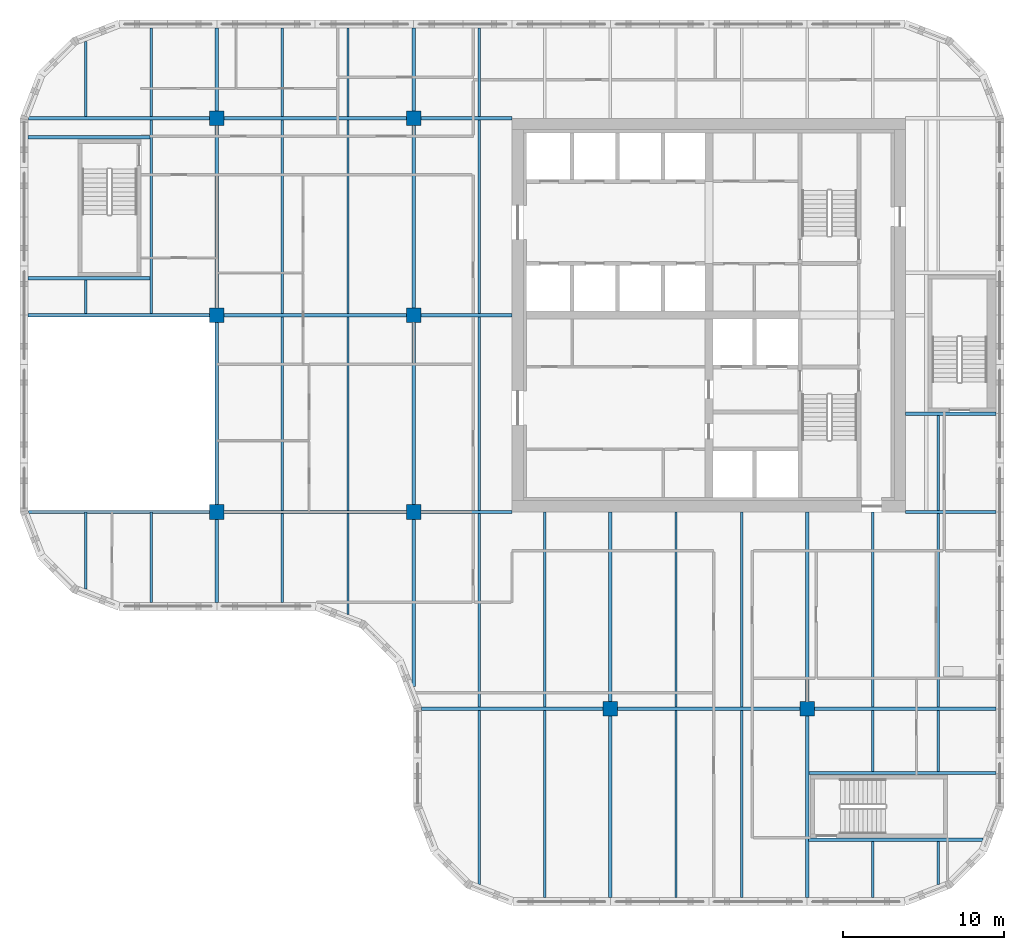
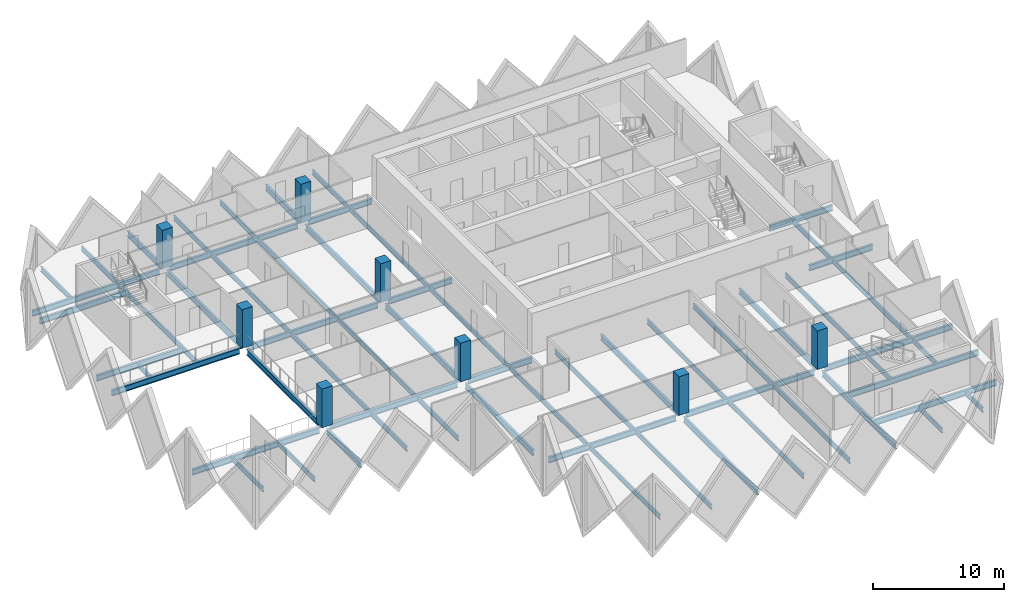
# One storey, part 1 of 13: 62 beams, 8 columns.
"""IFC4 building model written with IfcOpenShell, lengths in metres."""

from ifc_helpers import new_model, si_unit, direction, frame, origin, origin_2d, place, context, subcontext, project, spatial, rectangle, i_section, extrude, material, material_profile, profile_set, type_object, element, save


model = new_model("IFC4")

# Units and contexts
model_context = context("Model", 3, precision=1e-05, world=origin(), true_north=direction((0.0, 1.0)))
body_context = subcontext(model_context, "Body", "Model", "MODEL_VIEW")
ifc_project = project(units=[si_unit("LENGTHUNIT", "METRE"), si_unit("AREAUNIT", "SQUARE_METRE"), si_unit("VOLUMEUNIT", "CUBIC_METRE"), si_unit("PLANEANGLEUNIT", "RADIAN"), si_unit("MASSUNIT", "GRAM", prefix="KILO")], contexts=[model_context])

# Site, building, storey
site_placement = place(None, origin())
site = spatial("IfcSite", under=ifc_project, at=site_placement, CompositionType="ELEMENT")
building_placement = place(site_placement, origin())
building = spatial("IfcBuilding", under=site, at=building_placement, Name="Tessera Gate Towers", CompositionType="ELEMENT")
storey_placement = place(building_placement, frame((0.0, 0.0, 131.60009765625)))
storey = spatial("IfcBuildingStorey", under=building, at=storey_placement, Name="L32", CompositionType="ELEMENT", Elevation=131.60009765625)

# Columns
ifc_material_1 = material(Name="Concrete C70/85", Category="concrete")
ifc_material_profile_1 = material_profile(ifc_material_1, rectangle(XDim=0.89990234375, YDim=0.89990234375, at=origin_2d()), Name="RC 900x900")
ifc_profile_set_1 = profile_set([ifc_material_profile_1], Name="Concrete C70/85")
column_type = type_object("IfcColumnType", Name="COLUMN RC 900x900", PredefinedType="COLUMN", material=ifc_profile_set_1)
for number, where, z_axis, x_axis, name in (
    (1, (12.199951171875, 24.39990234375, 0.0), (0.0, 0.0, 1.0), (1.0, 0.0, 0.0), "T1-COL-2C-L32"),
    (2, (12.199951171875, 36.60009765625, 0.0), (0.0, 0.0, 1.0), (1.0, 0.0, 0.0), "T1-COL-2D-L32"),
    (3, (12.199951171875, 48.800048828125, 0.0), (0.0, 0.0, 1.0), (1.0, 0.0, 0.0), "T1-COL-2E-L32"),
    (4, (24.39990234375, 24.39990234375, 0.0), (0.0, 0.0, 1.0), (1.0, 0.0, 0.0), "T1-COL-3C-L32"),
    (5, (24.39990234375, 36.60009765625, 0.0), (0.0, 0.0, 1.0), (1.0, 0.0, 0.0), "T1-COL-3D-L32"),
    (6, (24.39990234375, 48.800048828125, 0.0), (0.0, 0.0, 1.0), (1.0, 0.0, 0.0), "T1-COL-3E-L32"),
    (7, (36.60009765625, 12.199951171875, 0.0), (0.0, 0.0, 1.0), (1.0, 0.0, 0.0), "T1-COL-4B-L32"),
    (8, (48.800048828125, 12.199951171875, 0.0), (0.0, 0.0, 1.0), (1.0, 0.0, 0.0), "T1-COL-5B-L32"),
):
    element("IfcColumn", number, at=place(storey_placement, frame(where, z_axis=z_axis, x_axis=x_axis)), inside=storey, type_object=column_type, Name=name, PredefinedType="COLUMN", context=body_context, shape_type="SweptSolid", body=[
        extrude(rectangle(XDim=0.89990234375, YDim=0.89990234375, at=origin_2d()), origin(), (0.0, 0.0, 1.0), 3.599853515625),
    ])

# Beams
ifc_material_2 = material(Name="Steel 350W", Category="steel")
ifc_material_profile_2 = material_profile(ifc_material_2, i_section(OverallWidth=0.208984375, OverallDepth=0.532958984375, WebThickness=0.01025390625, FlangeThickness=0.015625, at=origin_2d()), Name="W530x92")
ifc_profile_set_2 = profile_set([ifc_material_profile_2], Name="Steel 350W")
beam_type_1 = type_object("IfcBeamType", Name="FLOOR GIRDER W530x92", PredefinedType="BEAM", material=ifc_profile_set_2)
beam_1_placement = place(storey_placement, frame((24.89892578125, 12.199951171875, -0.466552734375), z_axis=(1.0, 0.0, 0.0), x_axis=(0.0, 1.0, 0.0)))
element("IfcBeam", 9, at=beam_1_placement, inside=storey, type_object=beam_type_1, Name="T1-GD-L32-3926", PredefinedType="BEAM", context=body_context, shape_type="SweptSolid", body=[
    extrude(i_section(OverallWidth=0.208984375, OverallDepth=0.532958984375, WebThickness=0.01025390625, FlangeThickness=0.015625, at=origin_2d()), origin(), (0.0, 0.0, 1.0), 11.2509765625),
])
beam_2_placement = place(storey_placement, frame((37.050048828125, 12.199951171875, -0.466552734375), z_axis=(1.0, 0.0, 0.0), x_axis=(0.0, 1.0, 0.0)))
element("IfcBeam", 10, at=beam_2_placement, inside=storey, type_object=beam_type_1, Name="T1-GD-L32-3927", PredefinedType="BEAM", context=body_context, shape_type="SweptSolid", body=[
    extrude(i_section(OverallWidth=0.208984375, OverallDepth=0.532958984375, WebThickness=0.01025390625, FlangeThickness=0.015625, at=origin_2d()), origin(), (0.0, 0.0, 1.0), 11.300048828125),
])
beam_3_placement = place(storey_placement, frame((49.25, 12.199951171875, -0.466552734375), z_axis=(1.0, 0.0, 0.0), x_axis=(0.0, 1.0, 0.0)))
element("IfcBeam", 11, at=beam_3_placement, inside=storey, type_object=beam_type_1, Name="T1-GD-L32-3928", PredefinedType="BEAM", context=body_context, shape_type="SweptSolid", body=[
    extrude(i_section(OverallWidth=0.208984375, OverallDepth=0.532958984375, WebThickness=0.01025390625, FlangeThickness=0.015625, at=origin_2d()), origin(), (0.0, 0.0, 1.0), 11.2509765625),
])
beam_4_placement = place(storey_placement, frame((0.534912109375, 24.39990234375, -0.466552734375), z_axis=(1.0, 0.0, 0.0), x_axis=(0.0, 1.0, 0.0)))
element("IfcBeam", 12, at=beam_4_placement, inside=storey, type_object=beam_type_1, Name="T1-GD-L32-3929", PredefinedType="BEAM", context=body_context, shape_type="SweptSolid", body=[
    extrude(i_section(OverallWidth=0.208984375, OverallDepth=0.532958984375, WebThickness=0.01025390625, FlangeThickness=0.015625, at=origin_2d()), origin(), (0.0, 0.0, 1.0), 11.215087890625),
])
beam_5_placement = place(storey_placement, frame((12.64990234375, 24.39990234375, -0.466552734375), z_axis=(1.0, 0.0, 0.0), x_axis=(0.0, 1.0, 0.0)))
element("IfcBeam", 13, at=beam_5_placement, inside=storey, type_object=beam_type_1, Name="T1-GD-L32-3930", PredefinedType="BEAM", context=body_context, shape_type="SweptSolid", body=[
    extrude(i_section(OverallWidth=0.208984375, OverallDepth=0.532958984375, WebThickness=0.01025390625, FlangeThickness=0.015625, at=origin_2d()), origin(), (0.0, 0.0, 1.0), 11.300048828125),
])
beam_6_placement = place(storey_placement, frame((24.85009765625, 24.39990234375, -0.466552734375), z_axis=(1.0, 0.0, 0.0), x_axis=(0.0, 1.0, 0.0)))
element("IfcBeam", 14, at=beam_6_placement, inside=storey, type_object=beam_type_1, Name="T1-GD-L32-3931", PredefinedType="BEAM", context=body_context, shape_type="SweptSolid", body=[
    extrude(i_section(OverallWidth=0.208984375, OverallDepth=0.532958984375, WebThickness=0.01025390625, FlangeThickness=0.015625, at=origin_2d()), origin(), (0.0, 0.0, 1.0), 5.64892578125),
])
beam_7_placement = place(storey_placement, frame((54.90087890625, 24.39990234375, -0.466552734375), z_axis=(1.0, 0.0, 0.0), x_axis=(0.0, 1.0, 0.0)))
element("IfcBeam", 15, at=beam_7_placement, inside=storey, type_object=beam_type_1, Name="T1-GD-L32-3932", PredefinedType="BEAM", context=body_context, shape_type="SweptSolid", body=[
    extrude(i_section(OverallWidth=0.208984375, OverallDepth=0.532958984375, WebThickness=0.01025390625, FlangeThickness=0.015625, at=origin_2d()), origin(), (0.0, 0.0, 1.0), 5.60009765625),
])
beam_8_placement = place(storey_placement, frame((0.4990234375, 36.60009765625, -0.466552734375), z_axis=(1.0, 0.0, 0.0), x_axis=(0.0, 1.0, 0.0)))
element("IfcBeam", 16, at=beam_8_placement, inside=storey, type_object=beam_type_1, Name="T1-GD-L32-3933", PredefinedType="BEAM", context=body_context, shape_type="SweptSolid", body=[
    extrude(i_section(OverallWidth=0.208984375, OverallDepth=0.532958984375, WebThickness=0.01025390625, FlangeThickness=0.015625, at=origin_2d()), origin(), (0.0, 0.0, 1.0), 11.2509765625),
])
beam_9_placement = place(storey_placement, frame((12.64990234375, 36.60009765625, -0.466552734375), z_axis=(1.0, 0.0, 0.0), x_axis=(0.0, 1.0, 0.0)))
element("IfcBeam", 17, at=beam_9_placement, inside=storey, type_object=beam_type_1, Name="T1-GD-L32-3934", PredefinedType="BEAM", context=body_context, shape_type="SweptSolid", body=[
    extrude(i_section(OverallWidth=0.208984375, OverallDepth=0.532958984375, WebThickness=0.01025390625, FlangeThickness=0.015625, at=origin_2d()), origin(), (0.0, 0.0, 1.0), 11.300048828125),
])
beam_10_placement = place(storey_placement, frame((24.85009765625, 36.60009765625, -0.466552734375), z_axis=(1.0, 0.0, 0.0), x_axis=(0.0, 1.0, 0.0)))
element("IfcBeam", 18, at=beam_10_placement, inside=storey, type_object=beam_type_1, Name="T1-GD-L32-3935", PredefinedType="BEAM", context=body_context, shape_type="SweptSolid", body=[
    extrude(i_section(OverallWidth=0.208984375, OverallDepth=0.532958984375, WebThickness=0.01025390625, FlangeThickness=0.015625, at=origin_2d()), origin(), (0.0, 0.0, 1.0), 5.65087890625),
])
beam_11_placement = place(storey_placement, frame((0.534912109375, 48.800048828125, -0.466552734375), z_axis=(1.0, 0.0, 0.0), x_axis=(0.0, 1.0, 0.0)))
element("IfcBeam", 19, at=beam_11_placement, inside=storey, type_object=beam_type_1, Name="T1-GD-L32-3937", PredefinedType="BEAM", context=body_context, shape_type="SweptSolid", body=[
    extrude(i_section(OverallWidth=0.208984375, OverallDepth=0.532958984375, WebThickness=0.01025390625, FlangeThickness=0.015625, at=origin_2d()), origin(), (0.0, 0.0, 1.0), 11.215087890625),
])
beam_12_placement = place(storey_placement, frame((12.64990234375, 48.800048828125, -0.466552734375), z_axis=(1.0, 0.0, 0.0), x_axis=(0.0, 1.0, 0.0)))
element("IfcBeam", 20, at=beam_12_placement, inside=storey, type_object=beam_type_1, Name="T1-GD-L32-3938", PredefinedType="BEAM", context=body_context, shape_type="SweptSolid", body=[
    extrude(i_section(OverallWidth=0.208984375, OverallDepth=0.532958984375, WebThickness=0.01025390625, FlangeThickness=0.015625, at=origin_2d()), origin(), (0.0, 0.0, 1.0), 11.300048828125),
])
beam_13_placement = place(storey_placement, frame((24.85009765625, 48.800048828125, -0.466552734375), z_axis=(1.0, 0.0, 0.0), x_axis=(0.0, 1.0, 0.0)))
element("IfcBeam", 21, at=beam_13_placement, inside=storey, type_object=beam_type_1, Name="T1-GD-L32-3939", PredefinedType="BEAM", context=body_context, shape_type="SweptSolid", body=[
    extrude(i_section(OverallWidth=0.208984375, OverallDepth=0.532958984375, WebThickness=0.01025390625, FlangeThickness=0.015625, at=origin_2d()), origin(), (0.0, 0.0, 1.0), 5.64892578125),
])
beam_14_placement = place(storey_placement, frame((12.199951171875, 18.799072265625, -0.466552734375), z_axis=(0.0, 1.0, 0.0), x_axis=(-1.0, 0.0, 0.0)))
element("IfcBeam", 22, at=beam_14_placement, inside=storey, type_object=beam_type_1, Name="T1-GD-L32-3941", PredefinedType="BEAM", context=body_context, shape_type="SweptSolid", body=[
    extrude(i_section(OverallWidth=0.208984375, OverallDepth=0.532958984375, WebThickness=0.01025390625, FlangeThickness=0.015625, at=origin_2d()), origin(), (0.0, 0.0, 1.0), 5.15087890625),
])
beam_15_placement = place(storey_placement, frame((12.199951171875, 24.85009765625, -0.466552734375), z_axis=(0.0, 1.0, 0.0), x_axis=(-1.0, 0.0, 0.0)))
element("IfcBeam", 23, at=beam_15_placement, inside=storey, type_object=beam_type_1, Name="T1-GD-L32-3942", PredefinedType="BEAM", context=body_context, shape_type="SweptSolid", body=[
    extrude(i_section(OverallWidth=0.208984375, OverallDepth=0.532958984375, WebThickness=0.01025390625, FlangeThickness=0.015625, at=origin_2d()), origin(), (0.0, 0.0, 1.0), 11.2998046875),
])
beam_16_placement = place(storey_placement, frame((12.199951171875, 37.050048828125, -0.466552734375), z_axis=(0.0, 1.0, 0.0), x_axis=(-1.0, 0.0, 0.0)))
element("IfcBeam", 24, at=beam_16_placement, inside=storey, type_object=beam_type_1, Name="T1-GD-L32-3943", PredefinedType="BEAM", context=body_context, shape_type="SweptSolid", body=[
    extrude(i_section(OverallWidth=0.208984375, OverallDepth=0.532958984375, WebThickness=0.01025390625, FlangeThickness=0.015625, at=origin_2d()), origin(), (0.0, 0.0, 1.0), 11.300048828125),
])
beam_17_placement = place(storey_placement, frame((12.199951171875, 49.25, -0.466552734375), z_axis=(0.0, 1.0, 0.0), x_axis=(-1.0, 0.0, 0.0)))
element("IfcBeam", 25, at=beam_17_placement, inside=storey, type_object=beam_type_1, Name="T1-GD-L32-3944", PredefinedType="BEAM", context=body_context, shape_type="SweptSolid", body=[
    extrude(i_section(OverallWidth=0.208984375, OverallDepth=0.532958984375, WebThickness=0.01025390625, FlangeThickness=0.015625, at=origin_2d()), origin(), (0.0, 0.0, 1.0), 5.15087890625),
])
beam_18_placement = place(storey_placement, frame((24.39990234375, 13.58642578125, -0.466552734375), z_axis=(0.0, 1.0, 0.0), x_axis=(-1.0, 0.0, 0.0)))
element("IfcBeam", 26, at=beam_18_placement, inside=storey, type_object=beam_type_1, Name="T1-GD-L32-3945", PredefinedType="BEAM", context=body_context, shape_type="SweptSolid", body=[
    extrude(i_section(OverallWidth=0.208984375, OverallDepth=0.532958984375, WebThickness=0.01025390625, FlangeThickness=0.015625, at=origin_2d()), origin(), (0.0, 0.0, 1.0), 10.363525390625),
])
beam_19_placement = place(storey_placement, frame((24.39990234375, 24.85009765625, -0.466552734375), z_axis=(0.0, 1.0, 0.0), x_axis=(-1.0, 0.0, 0.0)))
element("IfcBeam", 27, at=beam_19_placement, inside=storey, type_object=beam_type_1, Name="T1-GD-L32-3946", PredefinedType="BEAM", context=body_context, shape_type="SweptSolid", body=[
    extrude(i_section(OverallWidth=0.208984375, OverallDepth=0.532958984375, WebThickness=0.01025390625, FlangeThickness=0.015625, at=origin_2d()), origin(), (0.0, 0.0, 1.0), 11.2998046875),
])
beam_20_placement = place(storey_placement, frame((24.39990234375, 37.050048828125, -0.466552734375), z_axis=(0.0, 1.0, 0.0), x_axis=(-1.0, 0.0, 0.0)))
element("IfcBeam", 28, at=beam_20_placement, inside=storey, type_object=beam_type_1, Name="T1-GD-L32-3947", PredefinedType="BEAM", context=body_context, shape_type="SweptSolid", body=[
    extrude(i_section(OverallWidth=0.208984375, OverallDepth=0.532958984375, WebThickness=0.01025390625, FlangeThickness=0.015625, at=origin_2d()), origin(), (0.0, 0.0, 1.0), 11.300048828125),
])
beam_21_placement = place(storey_placement, frame((24.39990234375, 49.25, -0.466552734375), z_axis=(0.0, 1.0, 0.0), x_axis=(-1.0, 0.0, 0.0)))
element("IfcBeam", 29, at=beam_21_placement, inside=storey, type_object=beam_type_1, Name="T1-GD-L32-3948", PredefinedType="BEAM", context=body_context, shape_type="SweptSolid", body=[
    extrude(i_section(OverallWidth=0.208984375, OverallDepth=0.532958984375, WebThickness=0.01025390625, FlangeThickness=0.015625, at=origin_2d()), origin(), (0.0, 0.0, 1.0), 5.15087890625),
])
beam_22_placement = place(storey_placement, frame((36.60009765625, 0.4990234375, -0.466552734375), z_axis=(0.0, 1.0, 0.0), x_axis=(-1.0, 0.0, 0.0)))
element("IfcBeam", 30, at=beam_22_placement, inside=storey, type_object=beam_type_1, Name="T1-GD-L32-3949", PredefinedType="BEAM", context=body_context, shape_type="SweptSolid", body=[
    extrude(i_section(OverallWidth=0.208984375, OverallDepth=0.532958984375, WebThickness=0.01025390625, FlangeThickness=0.015625, at=origin_2d()), origin(), (0.0, 0.0, 1.0), 11.2509765625),
])
beam_23_placement = place(storey_placement, frame((36.60009765625, 12.64990234375, -0.466552734375), z_axis=(0.0, 1.0, 0.0), x_axis=(-1.0, 0.0, 0.0)))
element("IfcBeam", 31, at=beam_23_placement, inside=storey, type_object=beam_type_1, Name="T1-GD-L32-3950", PredefinedType="BEAM", context=body_context, shape_type="SweptSolid", body=[
    extrude(i_section(OverallWidth=0.208984375, OverallDepth=0.532958984375, WebThickness=0.01025390625, FlangeThickness=0.015625, at=origin_2d()), origin(), (0.0, 0.0, 1.0), 11.75),
])
beam_24_placement = place(storey_placement, frame((48.800048828125, 0.4990234375, -0.466552734375), z_axis=(0.0, 1.0, 0.0), x_axis=(-1.0, 0.0, 0.0)))
element("IfcBeam", 32, at=beam_24_placement, inside=storey, type_object=beam_type_1, Name="T1-GD-L32-3951", PredefinedType="BEAM", context=body_context, shape_type="SweptSolid", body=[
    extrude(i_section(OverallWidth=0.208984375, OverallDepth=0.532958984375, WebThickness=0.01025390625, FlangeThickness=0.015625, at=origin_2d()), origin(), (0.0, 0.0, 1.0), 11.2509765625),
])
beam_25_placement = place(storey_placement, frame((48.800048828125, 12.64990234375, -0.466552734375), z_axis=(0.0, 1.0, 0.0), x_axis=(-1.0, 0.0, 0.0)))
element("IfcBeam", 33, at=beam_25_placement, inside=storey, type_object=beam_type_1, Name="T1-GD-L32-3952", PredefinedType="BEAM", context=body_context, shape_type="SweptSolid", body=[
    extrude(i_section(OverallWidth=0.208984375, OverallDepth=0.532958984375, WebThickness=0.01025390625, FlangeThickness=0.015625, at=origin_2d()), origin(), (0.0, 0.0, 1.0), 11.75),
])
for number, where, z_axis, x_axis, name in (
    (34, (0.4990234375, 38.8798828125, -0.466552734375), (1.0, 0.0, 0.0), (0.0, 1.0, 0.0), "T1-GD-L32-3953"),
    (35, (0.4990234375, 47.6201171875, -0.466552734375), (1.0, 0.0, 0.0), (0.0, 1.0, 0.0), "T1-GD-L32-3954"),
):
    element("IfcBeam", number, at=place(storey_placement, frame(where, z_axis=z_axis, x_axis=x_axis)), inside=storey, type_object=beam_type_1, Name=name, PredefinedType="BEAM", context=body_context, shape_type="SweptSolid", body=[
        extrude(i_section(OverallWidth=0.208984375, OverallDepth=0.532958984375, WebThickness=0.01025390625, FlangeThickness=0.015625, at=origin_2d()), origin(), (0.0, 0.0, 1.0), 7.557861328125),
    ])
beam_26_placement = place(storey_placement, frame((48.87646484375, 4.080078125, -0.466552734375), z_axis=(1.0, 0.0, 0.0), x_axis=(0.0, 1.0, 0.0)))
element("IfcBeam", 36, at=beam_26_placement, inside=storey, type_object=beam_type_1, Name="T1-GD-L32-3955", PredefinedType="BEAM", context=body_context, shape_type="SweptSolid", body=[
    extrude(i_section(OverallWidth=0.208984375, OverallDepth=0.532958984375, WebThickness=0.01025390625, FlangeThickness=0.015625, at=origin_2d()), origin(), (0.0, 0.0, 1.0), 10.809326171875),
])
beam_27_placement = place(storey_placement, frame((48.87646484375, 8.219970703125, -0.466552734375), z_axis=(1.0, 0.0, 0.0), x_axis=(0.0, 1.0, 0.0)))
element("IfcBeam", 37, at=beam_27_placement, inside=storey, type_object=beam_type_1, Name="T1-GD-L32-3956", PredefinedType="BEAM", context=body_context, shape_type="SweptSolid", body=[
    extrude(i_section(OverallWidth=0.208984375, OverallDepth=0.532958984375, WebThickness=0.01025390625, FlangeThickness=0.015625, at=origin_2d()), origin(), (0.0, 0.0, 1.0), 11.62451171875),
])
beam_28_placement = place(storey_placement, frame((54.89892578125, 30.47998046875, -0.466552734375), z_axis=(1.0, 0.0, 0.0), x_axis=(0.0, 1.0, 0.0)))
element("IfcBeam", 38, at=beam_28_placement, inside=storey, type_object=beam_type_1, Name="T1-GD-L32-3957", PredefinedType="BEAM", context=body_context, shape_type="SweptSolid", body=[
    extrude(i_section(OverallWidth=0.208984375, OverallDepth=0.532958984375, WebThickness=0.01025390625, FlangeThickness=0.015625, at=origin_2d()), origin(), (0.0, 0.0, 1.0), 5.60205078125),
])
ifc_material_3 = material(Name="Steel 350W", Category="steel")
ifc_material_profile_3 = material_profile(ifc_material_3, i_section(OverallWidth=0.153076171875, OverallDepth=0.455078125, WebThickness=0.008056640625, FlangeThickness=0.01318359375, at=origin_2d()), Name="W460x60")
ifc_profile_set_3 = profile_set([ifc_material_profile_3], Name="Steel 350W")
beam_type_2 = type_object("IfcBeamType", Name="FLOOR SECONDARY W460x60", PredefinedType="BEAM", material=ifc_profile_set_3)
beam_29_placement = place(storey_placement, frame((4.066650390625, 19.620361328125, -0.427490234375), z_axis=(0.0, 1.0, 0.0), x_axis=(-1.0, 0.0, 0.0)))
element("IfcBeam", 39, at=beam_29_placement, inside=storey, type_object=beam_type_2, Name="T1-BM-L32-3960", PredefinedType="BEAM", context=body_context, shape_type="SweptSolid", body=[
    extrude(i_section(OverallWidth=0.153076171875, OverallDepth=0.455078125, WebThickness=0.008056640625, FlangeThickness=0.01318359375, at=origin_2d()), origin(), (0.0, 0.0, 1.0), 4.779541015625),
])
beam_30_placement = place(storey_placement, frame((4.066650390625, 36.70458984375, -0.427490234375), z_axis=(0.0, 1.0, 0.0), x_axis=(-1.0, 0.0, 0.0)))
element("IfcBeam", 40, at=beam_30_placement, inside=storey, type_object=beam_type_2, Name="T1-BM-L32-3961", PredefinedType="BEAM", context=body_context, shape_type="SweptSolid", body=[
    extrude(i_section(OverallWidth=0.153076171875, OverallDepth=0.455078125, WebThickness=0.008056640625, FlangeThickness=0.01318359375, at=origin_2d()), origin(), (0.0, 0.0, 1.0), 2.07080078125),
])
beam_31_placement = place(storey_placement, frame((4.066650390625, 48.904541015625, -0.427490234375), z_axis=(0.0, 1.0, 0.0), x_axis=(-1.0, 0.0, 0.0)))
element("IfcBeam", 41, at=beam_31_placement, inside=storey, type_object=beam_type_2, Name="T1-BM-L32-3962", PredefinedType="BEAM", context=body_context, shape_type="SweptSolid", body=[
    extrude(i_section(OverallWidth=0.153076171875, OverallDepth=0.455078125, WebThickness=0.008056640625, FlangeThickness=0.01318359375, at=origin_2d()), origin(), (0.0, 0.0, 1.0), 4.675048828125),
])
beam_32_placement = place(storey_placement, frame((8.13330078125, 18.800048828125, -0.427490234375), z_axis=(0.0, 1.0, 0.0), x_axis=(-1.0, 0.0, 0.0)))
element("IfcBeam", 42, at=beam_32_placement, inside=storey, type_object=beam_type_2, Name="T1-BM-L32-3963", PredefinedType="BEAM", context=body_context, shape_type="SweptSolid", body=[
    extrude(i_section(OverallWidth=0.153076171875, OverallDepth=0.455078125, WebThickness=0.008056640625, FlangeThickness=0.01318359375, at=origin_2d()), origin(), (0.0, 0.0, 1.0), 5.599853515625),
])
beam_33_placement = place(storey_placement, frame((8.13330078125, 36.70458984375, -0.427490234375), z_axis=(0.0, 1.0, 0.0), x_axis=(-1.0, 0.0, 0.0)))
element("IfcBeam", 43, at=beam_33_placement, inside=storey, type_object=beam_type_2, Name="T1-BM-L32-3964", PredefinedType="BEAM", context=body_context, shape_type="SweptSolid", body=[
    extrude(i_section(OverallWidth=0.153076171875, OverallDepth=0.455078125, WebThickness=0.008056640625, FlangeThickness=0.01318359375, at=origin_2d()), origin(), (0.0, 0.0, 1.0), 11.990966796875),
])
for number, where, z_axis, x_axis, name in (
    (44, (8.13330078125, 48.904541015625, -0.427490234375), (0.0, 1.0, 0.0), (-1.0, 0.0, 0.0), "T1-BM-L32-3965"),
    (45, (16.2666015625, 18.800048828125, -0.427490234375), (0.0, 1.0, 0.0), (-1.0, 0.0, 0.0), "T1-BM-L32-3966"),
):
    element("IfcBeam", number, at=place(storey_placement, frame(where, z_axis=z_axis, x_axis=x_axis)), inside=storey, type_object=beam_type_2, Name=name, PredefinedType="BEAM", context=body_context, shape_type="SweptSolid", body=[
        extrude(i_section(OverallWidth=0.153076171875, OverallDepth=0.455078125, WebThickness=0.008056640625, FlangeThickness=0.01318359375, at=origin_2d()), origin(), (0.0, 0.0, 1.0), 5.495361328125),
    ])
beam_34_placement = place(storey_placement, frame((16.2666015625, 24.50439453125, -0.427490234375), z_axis=(0.0, 1.0, 0.0), x_axis=(-1.0, 0.0, 0.0)))
element("IfcBeam", 46, at=beam_34_placement, inside=storey, type_object=beam_type_2, Name="T1-BM-L32-3967", PredefinedType="BEAM", context=body_context, shape_type="SweptSolid", body=[
    extrude(i_section(OverallWidth=0.153076171875, OverallDepth=0.455078125, WebThickness=0.008056640625, FlangeThickness=0.01318359375, at=origin_2d()), origin(), (0.0, 0.0, 1.0), 11.9912109375),
])
beam_35_placement = place(storey_placement, frame((16.2666015625, 36.70458984375, -0.427490234375), z_axis=(0.0, 1.0, 0.0), x_axis=(-1.0, 0.0, 0.0)))
element("IfcBeam", 47, at=beam_35_placement, inside=storey, type_object=beam_type_2, Name="T1-BM-L32-3968", PredefinedType="BEAM", context=body_context, shape_type="SweptSolid", body=[
    extrude(i_section(OverallWidth=0.153076171875, OverallDepth=0.455078125, WebThickness=0.008056640625, FlangeThickness=0.01318359375, at=origin_2d()), origin(), (0.0, 0.0, 1.0), 11.990966796875),
])
beam_36_placement = place(storey_placement, frame((16.2666015625, 48.904541015625, -0.427490234375), z_axis=(0.0, 1.0, 0.0), x_axis=(-1.0, 0.0, 0.0)))
element("IfcBeam", 48, at=beam_36_placement, inside=storey, type_object=beam_type_2, Name="T1-BM-L32-3969", PredefinedType="BEAM", context=body_context, shape_type="SweptSolid", body=[
    extrude(i_section(OverallWidth=0.153076171875, OverallDepth=0.455078125, WebThickness=0.008056640625, FlangeThickness=0.01318359375, at=origin_2d()), origin(), (0.0, 0.0, 1.0), 5.495361328125),
])
beam_37_placement = place(storey_placement, frame((20.333251953125, 18.051513671875, -0.427490234375), z_axis=(0.0, 1.0, 0.0), x_axis=(-1.0, 0.0, 0.0)))
element("IfcBeam", 49, at=beam_37_placement, inside=storey, type_object=beam_type_2, Name="T1-BM-L32-3970", PredefinedType="BEAM", context=body_context, shape_type="SweptSolid", body=[
    extrude(i_section(OverallWidth=0.153076171875, OverallDepth=0.455078125, WebThickness=0.008056640625, FlangeThickness=0.01318359375, at=origin_2d()), origin(), (0.0, 0.0, 1.0), 6.243896484375),
])
beam_38_placement = place(storey_placement, frame((20.333251953125, 24.50439453125, -0.427490234375), z_axis=(0.0, 1.0, 0.0), x_axis=(-1.0, 0.0, 0.0)))
element("IfcBeam", 50, at=beam_38_placement, inside=storey, type_object=beam_type_2, Name="T1-BM-L32-3971", PredefinedType="BEAM", context=body_context, shape_type="SweptSolid", body=[
    extrude(i_section(OverallWidth=0.153076171875, OverallDepth=0.455078125, WebThickness=0.008056640625, FlangeThickness=0.01318359375, at=origin_2d()), origin(), (0.0, 0.0, 1.0), 11.9912109375),
])
beam_39_placement = place(storey_placement, frame((20.333251953125, 36.70458984375, -0.427490234375), z_axis=(0.0, 1.0, 0.0), x_axis=(-1.0, 0.0, 0.0)))
element("IfcBeam", 51, at=beam_39_placement, inside=storey, type_object=beam_type_2, Name="T1-BM-L32-3972", PredefinedType="BEAM", context=body_context, shape_type="SweptSolid", body=[
    extrude(i_section(OverallWidth=0.153076171875, OverallDepth=0.455078125, WebThickness=0.008056640625, FlangeThickness=0.01318359375, at=origin_2d()), origin(), (0.0, 0.0, 1.0), 11.990966796875),
])
beam_40_placement = place(storey_placement, frame((20.333251953125, 48.904541015625, -0.427490234375), z_axis=(0.0, 1.0, 0.0), x_axis=(-1.0, 0.0, 0.0)))
element("IfcBeam", 52, at=beam_40_placement, inside=storey, type_object=beam_type_2, Name="T1-BM-L32-3973", PredefinedType="BEAM", context=body_context, shape_type="SweptSolid", body=[
    extrude(i_section(OverallWidth=0.153076171875, OverallDepth=0.455078125, WebThickness=0.008056640625, FlangeThickness=0.01318359375, at=origin_2d()), origin(), (0.0, 0.0, 1.0), 5.495361328125),
])
beam_41_placement = place(storey_placement, frame((28.466796875, 1.3203125, -0.427490234375), z_axis=(0.0, 1.0, 0.0), x_axis=(-1.0, 0.0, 0.0)))
element("IfcBeam", 53, at=beam_41_placement, inside=storey, type_object=beam_type_2, Name="T1-BM-L32-3974", PredefinedType="BEAM", context=body_context, shape_type="SweptSolid", body=[
    extrude(i_section(OverallWidth=0.153076171875, OverallDepth=0.455078125, WebThickness=0.008056640625, FlangeThickness=0.01318359375, at=origin_2d()), origin(), (0.0, 0.0, 1.0), 10.775146484375),
])
beam_42_placement = place(storey_placement, frame((28.466796875, 12.304443359375, -0.427490234375), z_axis=(0.0, 1.0, 0.0), x_axis=(-1.0, 0.0, 0.0)))
element("IfcBeam", 54, at=beam_42_placement, inside=storey, type_object=beam_type_2, Name="T1-BM-L32-3975", PredefinedType="BEAM", context=body_context, shape_type="SweptSolid", body=[
    extrude(i_section(OverallWidth=0.153076171875, OverallDepth=0.455078125, WebThickness=0.008056640625, FlangeThickness=0.01318359375, at=origin_2d()), origin(), (0.0, 0.0, 1.0), 11.990966796875),
])
beam_43_placement = place(storey_placement, frame((28.466796875, 24.50439453125, -0.427490234375), z_axis=(0.0, 1.0, 0.0), x_axis=(-1.0, 0.0, 0.0)))
element("IfcBeam", 55, at=beam_43_placement, inside=storey, type_object=beam_type_2, Name="T1-BM-L32-3976", PredefinedType="BEAM", context=body_context, shape_type="SweptSolid", body=[
    extrude(i_section(OverallWidth=0.153076171875, OverallDepth=0.455078125, WebThickness=0.008056640625, FlangeThickness=0.01318359375, at=origin_2d()), origin(), (0.0, 0.0, 1.0), 11.9912109375),
])
beam_44_placement = place(storey_placement, frame((28.466796875, 36.70458984375, -0.427490234375), z_axis=(0.0, 1.0, 0.0), x_axis=(-1.0, 0.0, 0.0)))
element("IfcBeam", 56, at=beam_44_placement, inside=storey, type_object=beam_type_2, Name="T1-BM-L32-3977", PredefinedType="BEAM", context=body_context, shape_type="SweptSolid", body=[
    extrude(i_section(OverallWidth=0.153076171875, OverallDepth=0.455078125, WebThickness=0.008056640625, FlangeThickness=0.01318359375, at=origin_2d()), origin(), (0.0, 0.0, 1.0), 11.990966796875),
])
beam_45_placement = place(storey_placement, frame((28.466796875, 48.904541015625, -0.427490234375), z_axis=(0.0, 1.0, 0.0), x_axis=(-1.0, 0.0, 0.0)))
element("IfcBeam", 57, at=beam_45_placement, inside=storey, type_object=beam_type_2, Name="T1-BM-L32-3978", PredefinedType="BEAM", context=body_context, shape_type="SweptSolid", body=[
    extrude(i_section(OverallWidth=0.153076171875, OverallDepth=0.455078125, WebThickness=0.008056640625, FlangeThickness=0.01318359375, at=origin_2d()), origin(), (0.0, 0.0, 1.0), 5.495361328125),
])
beam_46_placement = place(storey_placement, frame((32.533203125, 0.5, -0.427490234375), z_axis=(0.0, 1.0, 0.0), x_axis=(-1.0, 0.0, 0.0)))
element("IfcBeam", 58, at=beam_46_placement, inside=storey, type_object=beam_type_2, Name="T1-BM-L32-3979", PredefinedType="BEAM", context=body_context, shape_type="SweptSolid", body=[
    extrude(i_section(OverallWidth=0.153076171875, OverallDepth=0.455078125, WebThickness=0.008056640625, FlangeThickness=0.01318359375, at=origin_2d()), origin(), (0.0, 0.0, 1.0), 11.595458984375),
])
beam_47_placement = place(storey_placement, frame((32.533203125, 12.304443359375, -0.427490234375), z_axis=(0.0, 1.0, 0.0), x_axis=(-1.0, 0.0, 0.0)))
element("IfcBeam", 59, at=beam_47_placement, inside=storey, type_object=beam_type_2, Name="T1-BM-L32-3980", PredefinedType="BEAM", context=body_context, shape_type="SweptSolid", body=[
    extrude(i_section(OverallWidth=0.153076171875, OverallDepth=0.455078125, WebThickness=0.008056640625, FlangeThickness=0.01318359375, at=origin_2d()), origin(), (0.0, 0.0, 1.0), 12.095458984375),
])
beam_48_placement = place(storey_placement, frame((40.666748046875, 0.5, -0.427490234375), z_axis=(0.0, 1.0, 0.0), x_axis=(-1.0, 0.0, 0.0)))
element("IfcBeam", 60, at=beam_48_placement, inside=storey, type_object=beam_type_2, Name="T1-BM-L32-3983", PredefinedType="BEAM", context=body_context, shape_type="SweptSolid", body=[
    extrude(i_section(OverallWidth=0.153076171875, OverallDepth=0.455078125, WebThickness=0.008056640625, FlangeThickness=0.01318359375, at=origin_2d()), origin(), (0.0, 0.0, 1.0), 11.595458984375),
])
beam_49_placement = place(storey_placement, frame((40.666748046875, 12.304443359375, -0.427490234375), z_axis=(0.0, 1.0, 0.0), x_axis=(-1.0, 0.0, 0.0)))
element("IfcBeam", 61, at=beam_49_placement, inside=storey, type_object=beam_type_2, Name="T1-BM-L32-3984", PredefinedType="BEAM", context=body_context, shape_type="SweptSolid", body=[
    extrude(i_section(OverallWidth=0.153076171875, OverallDepth=0.455078125, WebThickness=0.008056640625, FlangeThickness=0.01318359375, at=origin_2d()), origin(), (0.0, 0.0, 1.0), 12.095458984375),
])
beam_50_placement = place(storey_placement, frame((44.7333984375, 0.5, -0.427490234375), z_axis=(0.0, 1.0, 0.0), x_axis=(-1.0, 0.0, 0.0)))
element("IfcBeam", 62, at=beam_50_placement, inside=storey, type_object=beam_type_2, Name="T1-BM-L32-3986", PredefinedType="BEAM", context=body_context, shape_type="SweptSolid", body=[
    extrude(i_section(OverallWidth=0.153076171875, OverallDepth=0.455078125, WebThickness=0.008056640625, FlangeThickness=0.01318359375, at=origin_2d()), origin(), (0.0, 0.0, 1.0), 11.595458984375),
])
beam_51_placement = place(storey_placement, frame((44.7333984375, 12.304443359375, -0.427490234375), z_axis=(0.0, 1.0, 0.0), x_axis=(-1.0, 0.0, 0.0)))
element("IfcBeam", 63, at=beam_51_placement, inside=storey, type_object=beam_type_2, Name="T1-BM-L32-3987", PredefinedType="BEAM", context=body_context, shape_type="SweptSolid", body=[
    extrude(i_section(OverallWidth=0.153076171875, OverallDepth=0.455078125, WebThickness=0.008056640625, FlangeThickness=0.01318359375, at=origin_2d()), origin(), (0.0, 0.0, 1.0), 12.095458984375),
])
beam_52_placement = place(storey_placement, frame((52.86669921875, 0.5, -0.427490234375), z_axis=(0.0, 1.0, 0.0), x_axis=(-1.0, 0.0, 0.0)))
element("IfcBeam", 64, at=beam_52_placement, inside=storey, type_object=beam_type_2, Name="T1-BM-L32-3990", PredefinedType="BEAM", context=body_context, shape_type="SweptSolid", body=[
    extrude(i_section(OverallWidth=0.153076171875, OverallDepth=0.455078125, WebThickness=0.008056640625, FlangeThickness=0.01318359375, at=origin_2d()), origin(), (0.0, 0.0, 1.0), 3.4755859375),
])
beam_53_placement = place(storey_placement, frame((52.86669921875, 8.324462890625, -0.427490234375), z_axis=(0.0, 1.0, 0.0), x_axis=(-1.0, 0.0, 0.0)))
element("IfcBeam", 65, at=beam_53_placement, inside=storey, type_object=beam_type_2, Name="T1-BM-L32-3991", PredefinedType="BEAM", context=body_context, shape_type="SweptSolid", body=[
    extrude(i_section(OverallWidth=0.153076171875, OverallDepth=0.455078125, WebThickness=0.008056640625, FlangeThickness=0.01318359375, at=origin_2d()), origin(), (0.0, 0.0, 1.0), 3.77099609375),
])
beam_54_placement = place(storey_placement, frame((52.86669921875, 12.304443359375, -0.427490234375), z_axis=(0.0, 1.0, 0.0), x_axis=(-1.0, 0.0, 0.0)))
element("IfcBeam", 66, at=beam_54_placement, inside=storey, type_object=beam_type_2, Name="T1-BM-L32-3992", PredefinedType="BEAM", context=body_context, shape_type="SweptSolid", body=[
    extrude(i_section(OverallWidth=0.153076171875, OverallDepth=0.455078125, WebThickness=0.008056640625, FlangeThickness=0.01318359375, at=origin_2d()), origin(), (0.0, 0.0, 1.0), 12.095458984375),
])
beam_55_placement = place(storey_placement, frame((56.933349609375, 1.3203125, -0.427490234375), z_axis=(0.0, 1.0, 0.0), x_axis=(-1.0, 0.0, 0.0)))
element("IfcBeam", 67, at=beam_55_placement, inside=storey, type_object=beam_type_2, Name="T1-BM-L32-3994", PredefinedType="BEAM", context=body_context, shape_type="SweptSolid", body=[
    extrude(i_section(OverallWidth=0.153076171875, OverallDepth=0.455078125, WebThickness=0.008056640625, FlangeThickness=0.01318359375, at=origin_2d()), origin(), (0.0, 0.0, 1.0), 2.6552734375),
])
beam_56_placement = place(storey_placement, frame((56.933349609375, 8.324462890625, -0.427490234375), z_axis=(0.0, 1.0, 0.0), x_axis=(-1.0, 0.0, 0.0)))
element("IfcBeam", 68, at=beam_56_placement, inside=storey, type_object=beam_type_2, Name="T1-BM-L32-3995", PredefinedType="BEAM", context=body_context, shape_type="SweptSolid", body=[
    extrude(i_section(OverallWidth=0.153076171875, OverallDepth=0.455078125, WebThickness=0.008056640625, FlangeThickness=0.01318359375, at=origin_2d()), origin(), (0.0, 0.0, 1.0), 3.77099609375),
])
beam_57_placement = place(storey_placement, frame((56.933349609375, 12.304443359375, -0.427490234375), z_axis=(0.0, 1.0, 0.0), x_axis=(-1.0, 0.0, 0.0)))
element("IfcBeam", 69, at=beam_57_placement, inside=storey, type_object=beam_type_2, Name="T1-BM-L32-3996", PredefinedType="BEAM", context=body_context, shape_type="SweptSolid", body=[
    extrude(i_section(OverallWidth=0.153076171875, OverallDepth=0.455078125, WebThickness=0.008056640625, FlangeThickness=0.01318359375, at=origin_2d()), origin(), (0.0, 0.0, 1.0), 11.990966796875),
])
beam_58_placement = place(storey_placement, frame((56.933349609375, 24.50439453125, -0.427490234375), z_axis=(0.0, 1.0, 0.0), x_axis=(-1.0, 0.0, 0.0)))
element("IfcBeam", 70, at=beam_58_placement, inside=storey, type_object=beam_type_2, Name="T1-BM-L32-3997", PredefinedType="BEAM", context=body_context, shape_type="SweptSolid", body=[
    extrude(i_section(OverallWidth=0.153076171875, OverallDepth=0.455078125, WebThickness=0.008056640625, FlangeThickness=0.01318359375, at=origin_2d()), origin(), (0.0, 0.0, 1.0), 5.87109375),
])

save(model, "model.ifc")
